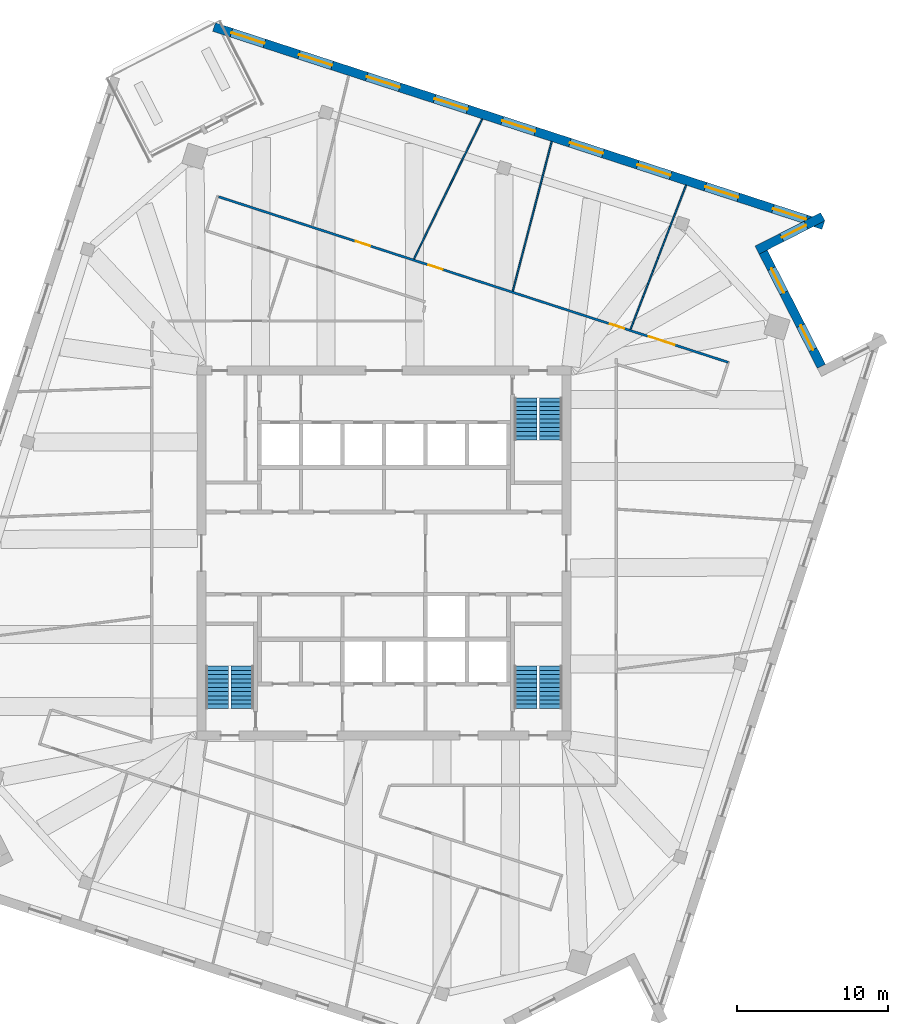
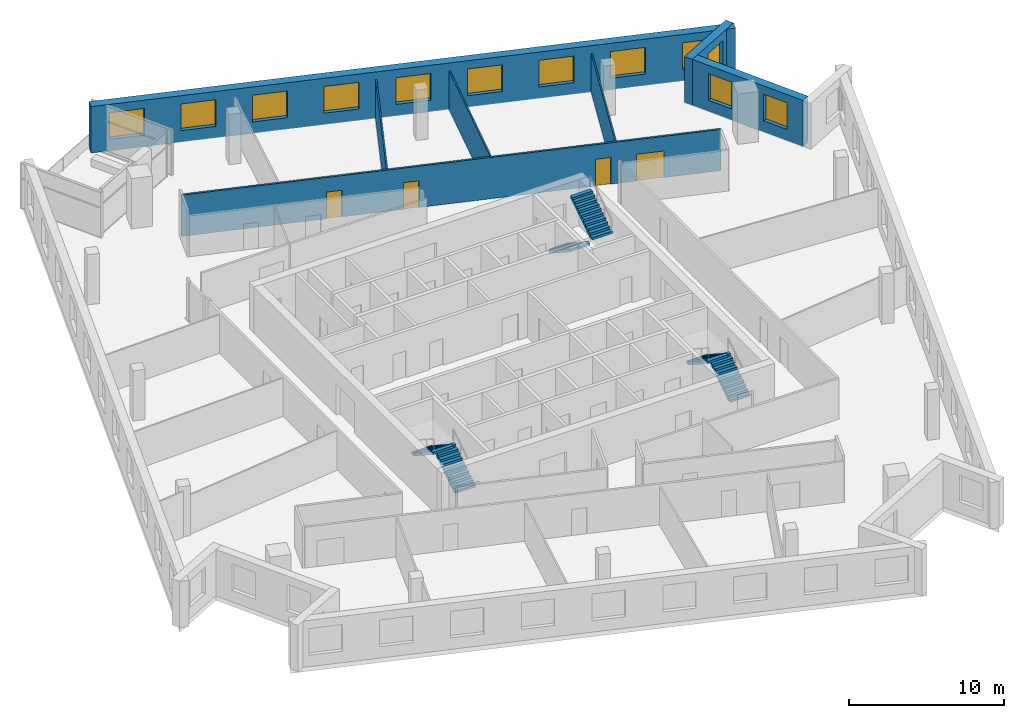
# One storey, part 11 of 13: 12 windows, 7 walls, 6 stair flights, 4 doors, 16 openings, 3 elements without a shape of their own.
"""IFC4 building model written with IfcOpenShell, lengths in metres."""

from ifc_helpers import new_model, si_unit, direction, frame, frame_2d, origin, place, context, subcontext, project, spatial, polyline, rectangle, outline, extrude, material, layer, layer_set, type_object, element, fill, aggregate, save


model = new_model("IFC4")

# Units and contexts
model_context = context("Model", 3, precision=1e-05, world=origin(), true_north=direction((0.0, 1.0)))
body_context = subcontext(model_context, "Body", "Model", "MODEL_VIEW")
ifc_project = project(units=[si_unit("LENGTHUNIT", "METRE"), si_unit("AREAUNIT", "SQUARE_METRE"), si_unit("VOLUMEUNIT", "CUBIC_METRE"), si_unit("PLANEANGLEUNIT", "RADIAN"), si_unit("MASSUNIT", "GRAM", prefix="KILO")], contexts=[model_context])

# Site, building, storey
site_placement = place(None, origin())
site = spatial("IfcSite", under=ifc_project, at=site_placement, CompositionType="ELEMENT")
building_placement = place(site_placement, origin())
building = spatial("IfcBuilding", under=site, at=building_placement, Name="Dilmun Exchange Tower", CompositionType="ELEMENT")
storey_placement = place(building_placement, frame((0.0, 0.0, 320.5)))
storey = spatial("IfcBuildingStorey", under=building, at=storey_placement, Name="L76", CompositionType="ELEMENT", Elevation=320.5)

# Wall, openings, doors
ifc_material_1 = material(Name="Corridor wall 150")
ifc_layer_1 = layer(ifc_material_1, 0.14990234375)
ifc_layer_set_1 = layer_set([ifc_layer_1], Name="Corridor wall 150")
wall_type_1 = type_object("IfcWallType", Name="Corridor wall 150", PredefinedType="PARTITIONING", material=ifc_layer_set_1)
wall_1_placement = place(storey_placement, frame((-10.963623046875, 23.634765625, 0.0), z_axis=(0.0, 0.0, 1.0), x_axis=(0.951055018443, -0.309021604252, 0.0)))
wall_1 = element("IfcWall", 1, at=wall_1_placement, inside=storey, type_object=wall_type_1, Name="Corridor wall", PredefinedType="PARTITIONING", context=body_context, shape_type="SweptSolid", body=[
    extrude(rectangle(XDim=35.536865234375, YDim=0.14990234375, at=frame_2d((17.7685546875, 0.0))), origin(), (0.0, 0.0, 1.0), 3.25),
])
opening_1_placement = place(wall_1_placement, frame((9.5537109375, 0.0, 0.0)))
opening_1 = element("IfcOpeningElement", 2, at=opening_1_placement, cuts=wall_1, Name="Opening TF75-D11", PredefinedType="OPENING", context=body_context, shape_type="SweptSolid", body=[
    extrude(rectangle(XDim=1.0, YDim=2.10009765625, at=frame_2d((0.5, 1.050048828125))), frame((0.0, 0.0849609375, 0.0), z_axis=(0.0, -1.0, 0.0), x_axis=(1.0, 0.0, 0.0)), (0.0, 0.0, 1.0), 0.169921875),
])
opening_2_placement = place(wall_1_placement, frame((14.62890625, 0.0, 0.0)))
opening_2 = element("IfcOpeningElement", 3, at=opening_2_placement, cuts=wall_1, Name="Opening TF75-D14", PredefinedType="OPENING", context=body_context, shape_type="SweptSolid", body=[
    extrude(rectangle(XDim=1.0, YDim=2.10009765625, at=frame_2d((0.5, 1.050048828125))), frame((0.0, 0.0849609375, 0.0), z_axis=(0.0, -1.0, 0.0), x_axis=(1.0, 0.0, 0.0)), (0.0, 0.0, 1.0), 0.169921875),
])
opening_3_placement = place(wall_1_placement, frame((27.287353515625, 0.0, 0.0)))
opening_3 = element("IfcOpeningElement", 4, at=opening_3_placement, cuts=wall_1, Name="Opening TF75-D15", PredefinedType="OPENING", context=body_context, shape_type="SweptSolid", body=[
    extrude(rectangle(XDim=1.0, YDim=2.10009765625, at=frame_2d((0.5, 1.050048828125))), frame((0.0, 0.0849609375, 0.0), z_axis=(0.0, -1.0, 0.0), x_axis=(1.0, 0.0, 0.0)), (0.0, 0.0, 1.0), 0.169921875),
])
opening_4_placement = place(wall_1_placement, frame((29.988037109375, 0.0, 0.0)))
opening_4 = element("IfcOpeningElement", 5, at=opening_4_placement, cuts=wall_1, Name="Opening TF75-D19", PredefinedType="OPENING", context=body_context, shape_type="SweptSolid", body=[
    extrude(rectangle(XDim=1.800048828125, YDim=2.10009765625, at=frame_2d((0.89990234375, 1.050048828125))), frame((0.0, 0.0849609375, 0.0), z_axis=(0.0, -1.0, 0.0), x_axis=(1.0, 0.0, 0.0)), (0.0, 0.0, 1.0), 0.169921875),
])
ifc_material_2 = material(Name="Fire door 1000 x 2100")
door_type_1 = type_object("IfcDoorType", Name="Fire door 1000 x 2100", OperationType="NOTDEFINED", PredefinedType="DOOR", material=ifc_material_2)
door_1_placement = place(opening_1_placement, origin())
door_1 = element("IfcDoor", 6, at=door_1_placement, inside=storey, type_object=door_type_1, Name="Door TF75-D11", OperationType="SINGLE_SWING_RIGHT", OverallHeight=2.10009765625, OverallWidth=1.0, PredefinedType="DOOR", context=body_context, shape_type="SweptSolid", body=[
    extrude(rectangle(XDim=1.0, YDim=2.10009765625, at=frame_2d((0.5, 1.050048828125))), frame((0.0, 0.02490234375, 0.0), z_axis=(0.0, -1.0, 0.0), x_axis=(1.0, 0.0, 0.0)), (0.0, 0.0, 1.0), 0.050048828125),
])
fill(opening_1, door_1)
door_2_placement = place(opening_2_placement, origin())
door_2 = element("IfcDoor", 7, at=door_2_placement, inside=storey, type_object=door_type_1, Name="Door TF75-D14", OperationType="SINGLE_SWING_LEFT", OverallHeight=2.10009765625, OverallWidth=1.0, PredefinedType="DOOR", context=body_context, shape_type="SweptSolid", body=[
    extrude(rectangle(XDim=1.0, YDim=2.10009765625, at=frame_2d((0.5, 1.050048828125))), frame((0.0, 0.02490234375, 0.0), z_axis=(0.0, -1.0, 0.0), x_axis=(1.0, 0.0, 0.0)), (0.0, 0.0, 1.0), 0.050048828125),
])
fill(opening_2, door_2)
door_3_placement = place(opening_3_placement, origin())
door_3 = element("IfcDoor", 8, at=door_3_placement, inside=storey, type_object=door_type_1, Name="Door TF75-D15", OperationType="SINGLE_SWING_LEFT", OverallHeight=2.10009765625, OverallWidth=1.0, PredefinedType="DOOR", context=body_context, shape_type="SweptSolid", body=[
    extrude(rectangle(XDim=1.0, YDim=2.10009765625, at=frame_2d((0.5, 1.050048828125))), frame((0.0, 0.02490234375, 0.0), z_axis=(0.0, -1.0, 0.0), x_axis=(1.0, 0.0, 0.0)), (0.0, 0.0, 1.0), 0.050048828125),
])
fill(opening_3, door_3)
ifc_material_3 = material(Name="Fire door pair 1800 x 2100")
door_type_2 = type_object("IfcDoorType", Name="Fire door pair 1800 x 2100", OperationType="NOTDEFINED", PredefinedType="DOOR", material=ifc_material_3)
door_4_placement = place(opening_4_placement, origin())
door_4 = element("IfcDoor", 9, at=door_4_placement, inside=storey, type_object=door_type_2, Name="Door TF75-D19", OperationType="DOUBLE_DOOR_SINGLE_SWING", OverallHeight=2.10009765625, OverallWidth=1.800048828125, PredefinedType="DOOR", context=body_context, shape_type="SweptSolid", body=[
    extrude(rectangle(XDim=1.800048828125, YDim=2.10009765625, at=frame_2d((0.89990234375, 1.050048828125))), frame((0.0, 0.02490234375, 0.0), z_axis=(0.0, -1.0, 0.0), x_axis=(1.0, 0.0, 0.0)), (0.0, 0.0, 1.0), 0.050048828125),
])
fill(opening_4, door_4)

# Walls
ifc_material_4 = material(Name="Partition 100")
ifc_layer_2 = layer(ifc_material_4, 0.10009765625)
ifc_layer_set_2 = layer_set([ifc_layer_2], Name="Partition 100")
wall_type_2 = type_object("IfcWallType", Name="Partition 100", PredefinedType="PARTITIONING", material=ifc_layer_set_2)
wall_2_placement = place(storey_placement, frame((1.9873046875, 19.513427734375, 0.0), z_axis=(0.0, 0.0, 1.0), x_axis=(0.438663040854, 0.898651621369, 0.0)))
element("IfcWall", 10, at=wall_2_placement, inside=storey, type_object=wall_type_2, Name="Partition", PredefinedType="PARTITIONING", context=body_context, shape_type="SweptSolid", body=[
    extrude(rectangle(XDim=10.326416015625, YDim=0.10009765625, at=frame_2d((5.1630859375, 0.0))), origin(), (0.0, 0.0, 1.0), 3.050048828125),
])
wall_3_placement = place(storey_placement, frame((8.542724609375, 17.378662109375, 0.0), z_axis=(0.0, 0.0, 1.0), x_axis=(0.251516032517, 0.967853132137, 0.0)))
element("IfcWall", 11, at=wall_3_placement, inside=storey, type_object=wall_type_2, Name="Partition", PredefinedType="PARTITIONING", context=body_context, shape_type="SweptSolid", body=[
    extrude(rectangle(XDim=10.248291015625, YDim=0.10009765625, at=frame_2d((5.1240234375, 0.0))), origin(), (0.0, 0.0, 1.0), 3.050048828125),
])
wall_4_placement = place(storey_placement, frame((16.347900390625, 14.842529296875, 0.0), z_axis=(0.0, 0.0, 1.0), x_axis=(0.360002455437, 0.932951355687, 0.0)))
element("IfcWall", 12, at=wall_4_placement, inside=storey, type_object=wall_type_2, Name="Partition", PredefinedType="PARTITIONING", context=body_context, shape_type="SweptSolid", body=[
    extrude(rectangle(XDim=10.2451171875, YDim=0.10009765625, at=frame_2d((5.12255859375, 0.0))), origin(), (0.0, 0.0, 1.0), 3.050048828125),
])

# Wall, openings, windows
ifc_material_5 = material(Name="Precast concrete C50/60", Category="concrete")
ifc_layer_3 = layer(ifc_material_5, 0.60009765625)
ifc_layer_set_3 = layer_set([ifc_layer_3], Name="Precast concrete C50/60")
wall_type_3 = type_object("IfcWallType", Name="Precast stone-clad wall 600", PredefinedType="STANDARD", material=ifc_layer_set_3)
wall_5_placement = place(storey_placement, frame((29.006103515625, 12.39013671875, 0.0), z_axis=(0.0, 0.0, 1.0), x_axis=(-0.453979132966, 0.891012315758, 0.0)))
wall_5 = element("IfcWall", 13, at=wall_5_placement, inside=storey, type_object=wall_type_3, Name="Facade wall L76-13", PredefinedType="STANDARD", context=body_context, shape_type="SweptSolid", body=[
    extrude(rectangle(XDim=8.500244140625, YDim=0.60009765625, at=frame_2d((4.25, 0.0))), origin(), (0.0, 0.0, 1.0), 3.64990234375),
])
opening_5_placement = place(wall_5_placement, frame((1.22509765625, 0.0, 0.89990234375)))
opening_5 = element("IfcOpeningElement", 14, at=opening_5_placement, cuts=wall_5, Name="Opening W180-210", PredefinedType="OPENING", context=body_context, shape_type="SweptSolid", body=[
    extrude(rectangle(XDim=1.800048828125, YDim=2.10009765625, at=frame_2d((0.89990234375, 1.050048828125))), frame((0.0, 0.31005859375, 0.0), z_axis=(0.0, -1.0, 0.0), x_axis=(1.0, 0.0, 0.0)), (0.0, 0.0, 1.0), 0.6201171875),
])
opening_6_placement = place(wall_5_placement, frame((5.47509765625, 0.0, 0.89990234375)))
opening_6 = element("IfcOpeningElement", 15, at=opening_6_placement, cuts=wall_5, Name="Opening W180-210", PredefinedType="OPENING", context=body_context, shape_type="SweptSolid", body=[
    extrude(rectangle(XDim=1.800048828125, YDim=2.10009765625, at=frame_2d((0.89990234375, 1.050048828125))), frame((0.0, 0.31005859375, 0.0), z_axis=(0.0, -1.0, 0.0), x_axis=(1.0, 0.0, 0.0)), (0.0, 0.0, 1.0), 0.6201171875),
])
ifc_material_6 = material(Name="Clear low-emissivity glass in aluminium frame", Category="aluminium")
window_type_1 = type_object("IfcWindowType", Name="Punched window 1800 x 2100", PartitioningType="DOUBLE_PANEL_VERTICAL", PredefinedType="WINDOW", material=ifc_material_6)
window_1_placement = place(opening_5_placement, origin())
window_1 = element("IfcWindow", 16, at=window_1_placement, inside=storey, type_object=window_type_1, Name="Window 14.1", OverallHeight=2.10009765625, OverallWidth=1.800048828125, PartitioningType="SINGLE_PANEL", PredefinedType="WINDOW", context=body_context, shape_type="SweptSolid", body=[
    extrude(rectangle(XDim=1.800048828125, YDim=2.10009765625, at=frame_2d((0.89990234375, 1.050048828125))), frame((0.0, 0.030029296875, 0.0), z_axis=(0.0, -1.0, 0.0), x_axis=(1.0, 0.0, 0.0)), (0.0, 0.0, 1.0), 0.06005859375),
])
fill(opening_5, window_1)
window_2_placement = place(opening_6_placement, origin())
window_2 = element("IfcWindow", 17, at=window_2_placement, inside=storey, type_object=window_type_1, Name="Window 14.2", OverallHeight=2.10009765625, OverallWidth=1.800048828125, PartitioningType="SINGLE_PANEL", PredefinedType="WINDOW", context=body_context, shape_type="SweptSolid", body=[
    extrude(rectangle(XDim=1.800048828125, YDim=2.10009765625, at=frame_2d((0.89990234375, 1.050048828125))), frame((0.0, 0.030029296875, 0.0), z_axis=(0.0, -1.0, 0.0), x_axis=(1.0, 0.0, 0.0)), (0.0, 0.0, 1.0), 0.06005859375),
])
fill(opening_6, window_2)

# Wall, opening, window
wall_6_placement = place(storey_placement, frame((24.74365234375, 20.094970703125, 0.0), z_axis=(0.0, 0.0, 1.0), x_axis=(0.891003264926, 0.453996896346, 0.0)))
wall_6 = element("IfcWall", 18, at=wall_6_placement, inside=storey, type_object=wall_type_3, Name="Facade wall L76-14", PredefinedType="STANDARD", context=body_context, shape_type="SweptSolid", body=[
    extrude(rectangle(XDim=4.885498046875, YDim=0.60009765625, at=frame_2d((2.44287109375, 0.0))), origin(), (0.0, 0.0, 1.0), 3.64990234375),
])
opening_7_placement = place(wall_6_placement, frame((1.8427734375, 0.0, 0.89990234375)))
opening_7 = element("IfcOpeningElement", 19, at=opening_7_placement, cuts=wall_6, Name="Opening W180-210", PredefinedType="OPENING", context=body_context, shape_type="SweptSolid", body=[
    extrude(rectangle(XDim=1.800048828125, YDim=2.10009765625, at=frame_2d((0.89990234375, 1.050048828125))), frame((0.0, 0.31005859375, 0.0), z_axis=(0.0, -1.0, 0.0), x_axis=(1.0, 0.0, 0.0)), (0.0, 0.0, 1.0), 0.6201171875),
])
window_3_placement = place(opening_7_placement, origin())
window_3 = element("IfcWindow", 20, at=window_3_placement, inside=storey, type_object=window_type_1, Name="Window 15.1", OverallHeight=2.10009765625, OverallWidth=1.800048828125, PartitioningType="SINGLE_PANEL", PredefinedType="WINDOW", context=body_context, shape_type="SweptSolid", body=[
    extrude(rectangle(XDim=1.800048828125, YDim=2.10009765625, at=frame_2d((0.89990234375, 1.050048828125))), frame((0.0, 0.030029296875, 0.0), z_axis=(0.0, -1.0, 0.0), x_axis=(1.0, 0.0, 0.0)), (0.0, 0.0, 1.0), 0.06005859375),
])
fill(opening_7, window_3)

# Wall, openings, windows
wall_7_placement = place(storey_placement, frame((29.14013671875, 21.76025390625, 0.0), z_axis=(0.0, 0.0, 1.0), x_axis=(-0.951057712071, 0.309013314132, 0.0)))
wall_7 = element("IfcWall", 21, at=wall_7_placement, inside=storey, type_object=wall_type_3, Name="Facade wall L76-15", PredefinedType="STANDARD", context=body_context, shape_type="SweptSolid", body=[
    extrude(rectangle(XDim=42.48974609375, YDim=0.60009765625, at=frame_2d((21.244873046875, 0.0))), origin(), (0.0, 0.0, 1.0), 3.64990234375),
])
opening_8_placement = place(wall_7_placement, frame((1.21044921875, 0.0, 0.89990234375)))
opening_8 = element("IfcOpeningElement", 22, at=opening_8_placement, cuts=wall_7, Name="Opening W230-210", PredefinedType="OPENING", context=body_context, shape_type="SweptSolid", body=[
    extrude(rectangle(XDim=2.300048828125, YDim=2.10009765625, at=frame_2d((1.14990234375, 1.050048828125))), frame((0.0, 0.31005859375, 0.0), z_axis=(0.0, -1.0, 0.0), x_axis=(1.0, 0.0, 0.0)), (0.0, 0.0, 1.0), 0.6201171875),
])
opening_9_placement = place(wall_7_placement, frame((5.931640625, 0.0, 0.89990234375)))
opening_9 = element("IfcOpeningElement", 23, at=opening_9_placement, cuts=wall_7, Name="Opening W230-210", PredefinedType="OPENING", context=body_context, shape_type="SweptSolid", body=[
    extrude(rectangle(XDim=2.300048828125, YDim=2.10009765625, at=frame_2d((1.14990234375, 1.050048828125))), frame((0.0, 0.31005859375, 0.0), z_axis=(0.0, -1.0, 0.0), x_axis=(1.0, 0.0, 0.0)), (0.0, 0.0, 1.0), 0.6201171875),
])
opening_10_placement = place(wall_7_placement, frame((10.652587890625, 0.0, 0.89990234375)))
opening_10 = element("IfcOpeningElement", 24, at=opening_10_placement, cuts=wall_7, Name="Opening W230-210", PredefinedType="OPENING", context=body_context, shape_type="SweptSolid", body=[
    extrude(rectangle(XDim=2.300048828125, YDim=2.10009765625, at=frame_2d((1.14990234375, 1.050048828125))), frame((0.0, 0.31005859375, 0.0), z_axis=(0.0, -1.0, 0.0), x_axis=(1.0, 0.0, 0.0)), (0.0, 0.0, 1.0), 0.6201171875),
])
opening_11_placement = place(wall_7_placement, frame((15.373779296875, 0.0, 0.89990234375)))
opening_11 = element("IfcOpeningElement", 25, at=opening_11_placement, cuts=wall_7, Name="Opening W230-210", PredefinedType="OPENING", context=body_context, shape_type="SweptSolid", body=[
    extrude(rectangle(XDim=2.300048828125, YDim=2.10009765625, at=frame_2d((1.14990234375, 1.050048828125))), frame((0.0, 0.31005859375, 0.0), z_axis=(0.0, -1.0, 0.0), x_axis=(1.0, 0.0, 0.0)), (0.0, 0.0, 1.0), 0.6201171875),
])
opening_12_placement = place(wall_7_placement, frame((20.0947265625, 0.0, 0.89990234375)))
opening_12 = element("IfcOpeningElement", 26, at=opening_12_placement, cuts=wall_7, Name="Opening W230-210", PredefinedType="OPENING", context=body_context, shape_type="SweptSolid", body=[
    extrude(rectangle(XDim=2.300048828125, YDim=2.10009765625, at=frame_2d((1.14990234375, 1.050048828125))), frame((0.0, 0.31005859375, 0.0), z_axis=(0.0, -1.0, 0.0), x_axis=(1.0, 0.0, 0.0)), (0.0, 0.0, 1.0), 0.6201171875),
])
opening_13_placement = place(wall_7_placement, frame((24.81591796875, 0.0, 0.89990234375)))
opening_13 = element("IfcOpeningElement", 27, at=opening_13_placement, cuts=wall_7, Name="Opening W230-210", PredefinedType="OPENING", context=body_context, shape_type="SweptSolid", body=[
    extrude(rectangle(XDim=2.300048828125, YDim=2.10009765625, at=frame_2d((1.14990234375, 1.050048828125))), frame((0.0, 0.31005859375, 0.0), z_axis=(0.0, -1.0, 0.0), x_axis=(1.0, 0.0, 0.0)), (0.0, 0.0, 1.0), 0.6201171875),
])
opening_14_placement = place(wall_7_placement, frame((29.536865234375, 0.0, 0.89990234375)))
opening_14 = element("IfcOpeningElement", 28, at=opening_14_placement, cuts=wall_7, Name="Opening W230-210", PredefinedType="OPENING", context=body_context, shape_type="SweptSolid", body=[
    extrude(rectangle(XDim=2.300048828125, YDim=2.10009765625, at=frame_2d((1.14990234375, 1.050048828125))), frame((0.0, 0.31005859375, 0.0), z_axis=(0.0, -1.0, 0.0), x_axis=(1.0, 0.0, 0.0)), (0.0, 0.0, 1.0), 0.6201171875),
])
opening_15_placement = place(wall_7_placement, frame((34.258056640625, 0.0, 0.89990234375)))
opening_15 = element("IfcOpeningElement", 29, at=opening_15_placement, cuts=wall_7, Name="Opening W230-210", PredefinedType="OPENING", context=body_context, shape_type="SweptSolid", body=[
    extrude(rectangle(XDim=2.300048828125, YDim=2.10009765625, at=frame_2d((1.14990234375, 1.050048828125))), frame((0.0, 0.31005859375, 0.0), z_axis=(0.0, -1.0, 0.0), x_axis=(1.0, 0.0, 0.0)), (0.0, 0.0, 1.0), 0.6201171875),
])
opening_16_placement = place(wall_7_placement, frame((38.97900390625, 0.0, 0.89990234375)))
opening_16 = element("IfcOpeningElement", 30, at=opening_16_placement, cuts=wall_7, Name="Opening W230-210", PredefinedType="OPENING", context=body_context, shape_type="SweptSolid", body=[
    extrude(rectangle(XDim=2.300048828125, YDim=2.10009765625, at=frame_2d((1.14990234375, 1.050048828125))), frame((0.0, 0.31005859375, 0.0), z_axis=(0.0, -1.0, 0.0), x_axis=(1.0, 0.0, 0.0)), (0.0, 0.0, 1.0), 0.6201171875),
])
window_type_2 = type_object("IfcWindowType", Name="Punched window 2300 x 2100", PartitioningType="DOUBLE_PANEL_VERTICAL", PredefinedType="WINDOW", material=ifc_material_6)
window_4_placement = place(opening_8_placement, origin())
window_4 = element("IfcWindow", 31, at=window_4_placement, inside=storey, type_object=window_type_2, Name="Window 16.1", OverallHeight=2.10009765625, OverallWidth=2.300048828125, PartitioningType="SINGLE_PANEL", PredefinedType="WINDOW", context=body_context, shape_type="SweptSolid", body=[
    extrude(rectangle(XDim=2.300048828125, YDim=2.10009765625, at=frame_2d((1.14990234375, 1.050048828125))), frame((0.0, 0.030029296875, 0.0), z_axis=(0.0, -1.0, 0.0), x_axis=(1.0, 0.0, 0.0)), (0.0, 0.0, 1.0), 0.06005859375),
])
fill(opening_8, window_4)
window_5_placement = place(opening_9_placement, origin())
window_5 = element("IfcWindow", 32, at=window_5_placement, inside=storey, type_object=window_type_2, Name="Window 16.2", OverallHeight=2.10009765625, OverallWidth=2.300048828125, PartitioningType="SINGLE_PANEL", PredefinedType="WINDOW", context=body_context, shape_type="SweptSolid", body=[
    extrude(rectangle(XDim=2.300048828125, YDim=2.10009765625, at=frame_2d((1.14990234375, 1.050048828125))), frame((0.0, 0.030029296875, 0.0), z_axis=(0.0, -1.0, 0.0), x_axis=(1.0, 0.0, 0.0)), (0.0, 0.0, 1.0), 0.06005859375),
])
fill(opening_9, window_5)
window_6_placement = place(opening_10_placement, origin())
window_6 = element("IfcWindow", 33, at=window_6_placement, inside=storey, type_object=window_type_2, Name="Window 16.3", OverallHeight=2.10009765625, OverallWidth=2.300048828125, PartitioningType="SINGLE_PANEL", PredefinedType="WINDOW", context=body_context, shape_type="SweptSolid", body=[
    extrude(rectangle(XDim=2.300048828125, YDim=2.10009765625, at=frame_2d((1.14990234375, 1.050048828125))), frame((0.0, 0.030029296875, 0.0), z_axis=(0.0, -1.0, 0.0), x_axis=(1.0, 0.0, 0.0)), (0.0, 0.0, 1.0), 0.06005859375),
])
fill(opening_10, window_6)
window_7_placement = place(opening_11_placement, origin())
window_7 = element("IfcWindow", 34, at=window_7_placement, inside=storey, type_object=window_type_2, Name="Window 16.4", OverallHeight=2.10009765625, OverallWidth=2.300048828125, PartitioningType="SINGLE_PANEL", PredefinedType="WINDOW", context=body_context, shape_type="SweptSolid", body=[
    extrude(rectangle(XDim=2.300048828125, YDim=2.10009765625, at=frame_2d((1.14990234375, 1.050048828125))), frame((0.0, 0.030029296875, 0.0), z_axis=(0.0, -1.0, 0.0), x_axis=(1.0, 0.0, 0.0)), (0.0, 0.0, 1.0), 0.06005859375),
])
fill(opening_11, window_7)
window_8_placement = place(opening_12_placement, origin())
window_8 = element("IfcWindow", 35, at=window_8_placement, inside=storey, type_object=window_type_2, Name="Window 16.5", OverallHeight=2.10009765625, OverallWidth=2.300048828125, PartitioningType="SINGLE_PANEL", PredefinedType="WINDOW", context=body_context, shape_type="SweptSolid", body=[
    extrude(rectangle(XDim=2.300048828125, YDim=2.10009765625, at=frame_2d((1.14990234375, 1.050048828125))), frame((0.0, 0.030029296875, 0.0), z_axis=(0.0, -1.0, 0.0), x_axis=(1.0, 0.0, 0.0)), (0.0, 0.0, 1.0), 0.06005859375),
])
fill(opening_12, window_8)
window_9_placement = place(opening_13_placement, origin())
window_9 = element("IfcWindow", 36, at=window_9_placement, inside=storey, type_object=window_type_2, Name="Window 16.6", OverallHeight=2.10009765625, OverallWidth=2.300048828125, PartitioningType="SINGLE_PANEL", PredefinedType="WINDOW", context=body_context, shape_type="SweptSolid", body=[
    extrude(rectangle(XDim=2.300048828125, YDim=2.10009765625, at=frame_2d((1.14990234375, 1.050048828125))), frame((0.0, 0.030029296875, 0.0), z_axis=(0.0, -1.0, 0.0), x_axis=(1.0, 0.0, 0.0)), (0.0, 0.0, 1.0), 0.06005859375),
])
fill(opening_13, window_9)
window_10_placement = place(opening_14_placement, origin())
window_10 = element("IfcWindow", 37, at=window_10_placement, inside=storey, type_object=window_type_2, Name="Window 16.7", OverallHeight=2.10009765625, OverallWidth=2.300048828125, PartitioningType="SINGLE_PANEL", PredefinedType="WINDOW", context=body_context, shape_type="SweptSolid", body=[
    extrude(rectangle(XDim=2.300048828125, YDim=2.10009765625, at=frame_2d((1.14990234375, 1.050048828125))), frame((0.0, 0.030029296875, 0.0), z_axis=(0.0, -1.0, 0.0), x_axis=(1.0, 0.0, 0.0)), (0.0, 0.0, 1.0), 0.06005859375),
])
fill(opening_14, window_10)
window_11_placement = place(opening_15_placement, origin())
window_11 = element("IfcWindow", 38, at=window_11_placement, inside=storey, type_object=window_type_2, Name="Window 16.8", OverallHeight=2.10009765625, OverallWidth=2.300048828125, PartitioningType="SINGLE_PANEL", PredefinedType="WINDOW", context=body_context, shape_type="SweptSolid", body=[
    extrude(rectangle(XDim=2.300048828125, YDim=2.10009765625, at=frame_2d((1.14990234375, 1.050048828125))), frame((0.0, 0.030029296875, 0.0), z_axis=(0.0, -1.0, 0.0), x_axis=(1.0, 0.0, 0.0)), (0.0, 0.0, 1.0), 0.06005859375),
])
fill(opening_15, window_11)
window_12_placement = place(opening_16_placement, origin())
window_12 = element("IfcWindow", 39, at=window_12_placement, inside=storey, type_object=window_type_2, Name="Window 16.9", OverallHeight=2.10009765625, OverallWidth=2.300048828125, PartitioningType="SINGLE_PANEL", PredefinedType="WINDOW", context=body_context, shape_type="SweptSolid", body=[
    extrude(rectangle(XDim=2.300048828125, YDim=2.10009765625, at=frame_2d((1.14990234375, 1.050048828125))), frame((0.0, 0.030029296875, 0.0), z_axis=(0.0, -1.0, 0.0), x_axis=(1.0, 0.0, 0.0)), (0.0, 0.0, 1.0), 0.06005859375),
])
fill(opening_16, window_12)

# Stair, stair flights
ifc_material_7 = material(Name="Concrete C40/50", Category="concrete")
stair_type = type_object("IfcStairType", Name="Exit stair 1500 half-turn", PredefinedType="HALF_TURN_STAIR", material=ifc_material_7)
stair_1_placement = place(storey_placement, origin())
stair_1 = element("IfcStair", 40, at=stair_1_placement, inside=storey, type_object=stair_type, Name="L76 Protected exit stair ST1", PredefinedType="HALF_TURN_STAIR")
stair_flight_type = type_object("IfcStairFlightType", Name="Exit stair flight 1500", PredefinedType="STRAIGHT", material=ifc_material_7)
stair_flight_1_placement = place(storey_placement, frame((9.39990234375, 10.300048828125, 0.0), z_axis=(0.0, 0.0, 1.0), x_axis=(0.0, -1.0, 0.0)))
stair_flight_1 = element("IfcStairFlight", 41, at=stair_flight_1_placement, type_object=stair_flight_type, Name="ST1 flight 1", NumberOfRisers=11, NumberOfTreads=10, PredefinedType="STRAIGHT", RiserHeight=0.181818182, TreadLength=0.28, context=body_context, shape_type="SweptSolid", body=[
    extrude(outline(polyline([(0.0, 0.0), (0.0, 0.181884765625), (0.280029296875, 0.181884765625), (0.280029296875, 0.363525390625), (0.56005859375, 0.363525390625), (0.56005859375, 0.54541015625), (0.840087890625, 0.54541015625), (0.840087890625, 0.727294921875), (1.1201171875, 0.727294921875), (1.1201171875, 0.9091796875), (1.39990234375, 0.9091796875), (1.39990234375, 1.0908203125), (1.679931640625, 1.0908203125), (1.679931640625, 1.272705078125), (1.9599609375, 1.272705078125), (1.9599609375, 1.45458984375), (2.239990234375, 1.45458984375), (2.239990234375, 1.636474609375), (2.52001953125, 1.636474609375), (2.52001953125, 1.818115234375), (2.800048828125, 1.818115234375), (2.800048828125, 2.0), (2.800048828125, 1.639404296875), (0.275146484375, 0.0), (0.0, 0.0)])), frame((0.0, 0.75, 0.0), z_axis=(0.0, -1.0, 0.0), x_axis=(1.0, 0.0, 0.0)), (0.0, 0.0, 1.0), 1.5),
])
stair_flight_2_placement = place(storey_placement, frame((11.050048828125, 7.5, 2.0), z_axis=(0.0, 0.0, 1.0), x_axis=(0.0, 1.0, 0.0)))
stair_flight_2 = element("IfcStairFlight", 42, at=stair_flight_2_placement, type_object=stair_flight_type, Name="ST1 flight 2", NumberOfRisers=11, NumberOfTreads=10, PredefinedType="STRAIGHT", RiserHeight=0.181818182, TreadLength=0.28, context=body_context, shape_type="SweptSolid", body=[
    extrude(outline(polyline([(0.0, 0.0), (0.0, 0.181884765625), (0.280029296875, 0.181884765625), (0.280029296875, 0.363525390625), (0.56005859375, 0.363525390625), (0.56005859375, 0.54541015625), (0.840087890625, 0.54541015625), (0.840087890625, 0.727294921875), (1.1201171875, 0.727294921875), (1.1201171875, 0.9091796875), (1.39990234375, 0.9091796875), (1.39990234375, 1.0908203125), (1.679931640625, 1.0908203125), (1.679931640625, 1.272705078125), (1.9599609375, 1.272705078125), (1.9599609375, 1.45458984375), (2.239990234375, 1.45458984375), (2.239990234375, 1.636474609375), (2.52001953125, 1.636474609375), (2.52001953125, 1.818115234375), (2.800048828125, 1.818115234375), (2.800048828125, 2.0), (2.800048828125, 1.639404296875), (0.275146484375, 0.0), (0.0, 0.0)])), frame((0.0, 0.75, 0.0), z_axis=(0.0, -1.0, 0.0), x_axis=(1.0, 0.0, 0.0)), (0.0, 0.0, 1.0), 1.5),
])
aggregate(stair_1, [stair_flight_1, stair_flight_2])

stair_2_placement = place(storey_placement, origin())
stair_2 = element("IfcStair", 43, at=stair_2_placement, inside=storey, type_object=stair_type, Name="L76 Protected exit stair ST2", PredefinedType="HALF_TURN_STAIR")
stair_flight_3_placement = place(storey_placement, frame((-9.39990234375, -10.300048828125, 0.0), z_axis=(0.0, 0.0, 1.0), x_axis=(0.0, 1.0, 0.0)))
stair_flight_3 = element("IfcStairFlight", 44, at=stair_flight_3_placement, type_object=stair_flight_type, Name="ST2 flight 1", NumberOfRisers=11, NumberOfTreads=10, PredefinedType="STRAIGHT", RiserHeight=0.181818182, TreadLength=0.28, context=body_context, shape_type="SweptSolid", body=[
    extrude(outline(polyline([(0.0, 0.0), (0.0, 0.181884765625), (0.280029296875, 0.181884765625), (0.280029296875, 0.363525390625), (0.56005859375, 0.363525390625), (0.56005859375, 0.54541015625), (0.840087890625, 0.54541015625), (0.840087890625, 0.727294921875), (1.1201171875, 0.727294921875), (1.1201171875, 0.9091796875), (1.39990234375, 0.9091796875), (1.39990234375, 1.0908203125), (1.679931640625, 1.0908203125), (1.679931640625, 1.272705078125), (1.9599609375, 1.272705078125), (1.9599609375, 1.45458984375), (2.239990234375, 1.45458984375), (2.239990234375, 1.636474609375), (2.52001953125, 1.636474609375), (2.52001953125, 1.818115234375), (2.800048828125, 1.818115234375), (2.800048828125, 2.0), (2.800048828125, 1.639404296875), (0.275146484375, 0.0), (0.0, 0.0)])), frame((0.0, 0.75, 0.0), z_axis=(0.0, -1.0, 0.0), x_axis=(1.0, 0.0, 0.0)), (0.0, 0.0, 1.0), 1.5),
])
stair_flight_4_placement = place(storey_placement, frame((-11.050048828125, -7.5, 2.0), z_axis=(0.0, 0.0, 1.0), x_axis=(0.0, -1.0, 0.0)))
stair_flight_4 = element("IfcStairFlight", 45, at=stair_flight_4_placement, type_object=stair_flight_type, Name="ST2 flight 2", NumberOfRisers=11, NumberOfTreads=10, PredefinedType="STRAIGHT", RiserHeight=0.181818182, TreadLength=0.28, context=body_context, shape_type="SweptSolid", body=[
    extrude(outline(polyline([(0.0, 0.0), (0.0, 0.181884765625), (0.280029296875, 0.181884765625), (0.280029296875, 0.363525390625), (0.56005859375, 0.363525390625), (0.56005859375, 0.54541015625), (0.840087890625, 0.54541015625), (0.840087890625, 0.727294921875), (1.1201171875, 0.727294921875), (1.1201171875, 0.9091796875), (1.39990234375, 0.9091796875), (1.39990234375, 1.0908203125), (1.679931640625, 1.0908203125), (1.679931640625, 1.272705078125), (1.9599609375, 1.272705078125), (1.9599609375, 1.45458984375), (2.239990234375, 1.45458984375), (2.239990234375, 1.636474609375), (2.52001953125, 1.636474609375), (2.52001953125, 1.818115234375), (2.800048828125, 1.818115234375), (2.800048828125, 2.0), (2.800048828125, 1.639404296875), (0.275146484375, 0.0), (0.0, 0.0)])), frame((0.0, 0.75, 0.0), z_axis=(0.0, -1.0, 0.0), x_axis=(1.0, 0.0, 0.0)), (0.0, 0.0, 1.0), 1.5),
])
aggregate(stair_2, [stair_flight_3, stair_flight_4])

stair_3_placement = place(storey_placement, origin())
stair_3 = element("IfcStair", 46, at=stair_3_placement, inside=storey, type_object=stair_type, Name="L76 Protected exit stair ST3", PredefinedType="HALF_TURN_STAIR")
stair_flight_5_placement = place(storey_placement, frame((11.050048828125, -10.300048828125, 0.0), z_axis=(0.0, 0.0, 1.0), x_axis=(0.0, 1.0, 0.0)))
stair_flight_5 = element("IfcStairFlight", 47, at=stair_flight_5_placement, type_object=stair_flight_type, Name="ST3 flight 1", NumberOfRisers=11, NumberOfTreads=10, PredefinedType="STRAIGHT", RiserHeight=0.181818182, TreadLength=0.28, context=body_context, shape_type="SweptSolid", body=[
    extrude(outline(polyline([(0.0, 0.0), (0.0, 0.181884765625), (0.280029296875, 0.181884765625), (0.280029296875, 0.363525390625), (0.56005859375, 0.363525390625), (0.56005859375, 0.54541015625), (0.840087890625, 0.54541015625), (0.840087890625, 0.727294921875), (1.1201171875, 0.727294921875), (1.1201171875, 0.9091796875), (1.39990234375, 0.9091796875), (1.39990234375, 1.0908203125), (1.679931640625, 1.0908203125), (1.679931640625, 1.272705078125), (1.9599609375, 1.272705078125), (1.9599609375, 1.45458984375), (2.239990234375, 1.45458984375), (2.239990234375, 1.636474609375), (2.52001953125, 1.636474609375), (2.52001953125, 1.818115234375), (2.800048828125, 1.818115234375), (2.800048828125, 2.0), (2.800048828125, 1.639404296875), (0.275146484375, 0.0), (0.0, 0.0)])), frame((0.0, 0.75, 0.0), z_axis=(0.0, -1.0, 0.0), x_axis=(1.0, 0.0, 0.0)), (0.0, 0.0, 1.0), 1.5),
])
stair_flight_6_placement = place(storey_placement, frame((9.39990234375, -7.5, 2.0), z_axis=(0.0, 0.0, 1.0), x_axis=(0.0, -1.0, 0.0)))
stair_flight_6 = element("IfcStairFlight", 48, at=stair_flight_6_placement, type_object=stair_flight_type, Name="ST3 flight 2", NumberOfRisers=11, NumberOfTreads=10, PredefinedType="STRAIGHT", RiserHeight=0.181818182, TreadLength=0.28, context=body_context, shape_type="SweptSolid", body=[
    extrude(outline(polyline([(0.0, 0.0), (0.0, 0.181884765625), (0.280029296875, 0.181884765625), (0.280029296875, 0.363525390625), (0.56005859375, 0.363525390625), (0.56005859375, 0.54541015625), (0.840087890625, 0.54541015625), (0.840087890625, 0.727294921875), (1.1201171875, 0.727294921875), (1.1201171875, 0.9091796875), (1.39990234375, 0.9091796875), (1.39990234375, 1.0908203125), (1.679931640625, 1.0908203125), (1.679931640625, 1.272705078125), (1.9599609375, 1.272705078125), (1.9599609375, 1.45458984375), (2.239990234375, 1.45458984375), (2.239990234375, 1.636474609375), (2.52001953125, 1.636474609375), (2.52001953125, 1.818115234375), (2.800048828125, 1.818115234375), (2.800048828125, 2.0), (2.800048828125, 1.639404296875), (0.275146484375, 0.0), (0.0, 0.0)])), frame((0.0, 0.75, 0.0), z_axis=(0.0, -1.0, 0.0), x_axis=(1.0, 0.0, 0.0)), (0.0, 0.0, 1.0), 1.5),
])
aggregate(stair_3, [stair_flight_5, stair_flight_6])

save(model, "model.ifc")
